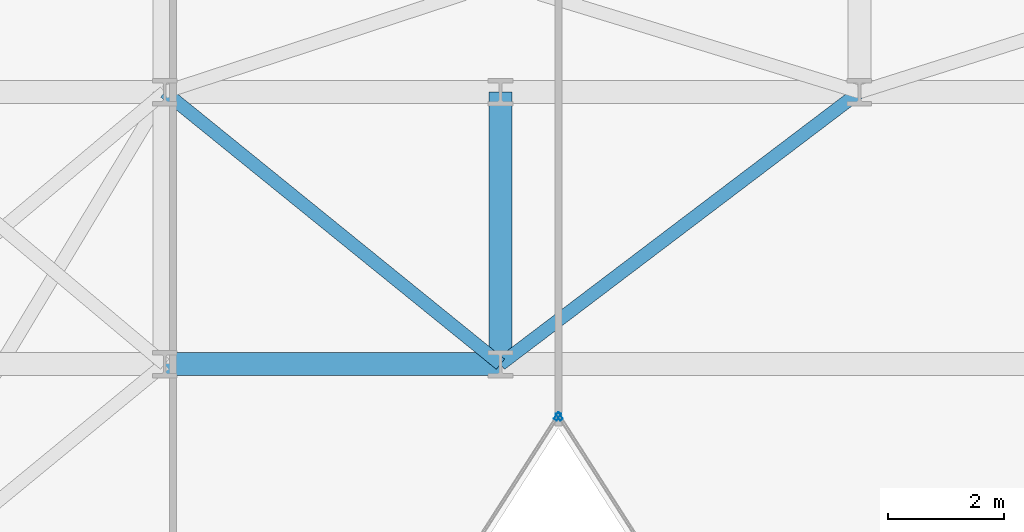
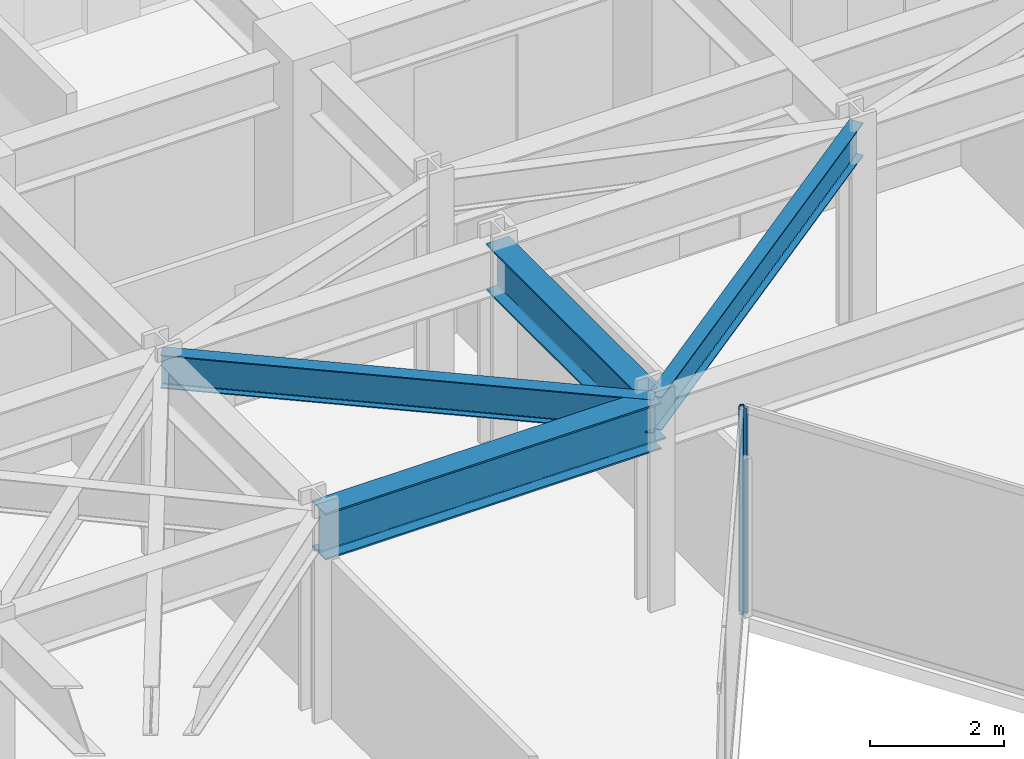
# One storey, part 13 of 26: 4 beams, 2 members, 2 elements without a shape of their own.
"""IFC4 building model written with IfcOpenShell, lengths in metres."""

from ifc_helpers import new_model, si_unit, direction, frame, origin, origin_2d, place, context, subcontext, project, spatial, hollow_rectangle, i_section, extrude, material, layer, layer_set, material_profile, profile_set, type_object, element, aggregate, save


model = new_model("IFC4")

# Units and contexts
model_context = context("Model", 3, precision=1e-05, world=origin(), true_north=direction((0.0, 1.0)))
body_context = subcontext(model_context, "Body", "Model", "MODEL_VIEW")
ifc_project = project(units=[si_unit("LENGTHUNIT", "METRE"), si_unit("AREAUNIT", "SQUARE_METRE"), si_unit("VOLUMEUNIT", "CUBIC_METRE"), si_unit("PLANEANGLEUNIT", "RADIAN"), si_unit("MASSUNIT", "GRAM", prefix="KILO")], contexts=[model_context])

# Site, building, storey
site_placement = place(None, origin())
site = spatial("IfcSite", under=ifc_project, at=site_placement, CompositionType="ELEMENT")
building_placement = place(site_placement, origin())
building = spatial("IfcBuilding", under=site, at=building_placement, Name="Kravanh Interchange Tower", CompositionType="ELEMENT")
storey_placement = place(building_placement, frame((0.0, 0.0, 112.0)))
storey = spatial("IfcBuildingStorey", under=building, at=storey_placement, Name="L26", CompositionType="ELEMENT", Elevation=112.0)

# Curtain wall, member
ifc_material_1 = material(Name="Anodised Bronze Aluminium", Category="aluminium")
ifc_layer = layer(ifc_material_1, 0.179931640625)
ifc_layer_set = layer_set([ifc_layer], Name="Unitised Curtain Wall System CW-Z2 Mid Office")
curtain_wall_type = type_object("IfcCurtainWallType", Name="Unitised Curtain Wall System CW-Z2 Mid Office", PredefinedType="NOTDEFINED", material=ifc_layer_set)
curtain_wall_1_placement = place(storey_placement, origin())
curtain_wall_1 = element("IfcCurtainWall", 1, at=curtain_wall_1_placement, inside=storey, type_object=curtain_wall_type, Name="L26 Unitised Curtain Wall CW-L26-04", PredefinedType="NOTDEFINED")
ifc_material_2 = material(Name="Anodised Bronze Aluminium", Category="aluminium")
ifc_material_profile_1 = material_profile(ifc_material_2, hollow_rectangle(XDim=0.06005859375, YDim=0.139892578125, WallThickness=0.00390625, at=origin_2d()), Name="ALU60X140X4")
ifc_profile_set_1 = profile_set([ifc_material_profile_1], Name="Anodised Bronze Aluminium")
member_type = type_object("IfcMemberType", Name="Curtain Wall Mullion ALU60X140X4 Bronze", PredefinedType="MULLION", material=ifc_profile_set_1)
member_1_placement = place(storey_placement, frame((39.6162109375, 25.897216796875, 0.0), z_axis=(0.0, 0.0, 1.0), x_axis=(-0.841879939476, -0.539664865919, 0.0)))
member_1 = element("IfcMember", 2, at=member_1_placement, type_object=member_type, Name="CW-Z2 mullion 5", PredefinedType="MULLION", context=body_context, shape_type="SweptSolid", body=[
    extrude(hollow_rectangle(XDim=0.06005859375, YDim=0.139892578125, WallThickness=0.00390625, at=origin_2d()), origin(), (0.0, 0.0, 1.0), 3.75),
])
aggregate(curtain_wall_1, [member_1])

curtain_wall_2_placement = place(storey_placement, origin())
curtain_wall_2 = element("IfcCurtainWall", 3, at=curtain_wall_2_placement, inside=storey, type_object=curtain_wall_type, Name="L26 Unitised Curtain Wall CW-L26-05", PredefinedType="NOTDEFINED")
member_2_placement = place(storey_placement, frame((39.583740234375, 25.897216796875, 0.0), z_axis=(0.0, 0.0, 1.0), x_axis=(0.841879939476, -0.539664865919, 0.0)))
member_2 = element("IfcMember", 4, at=member_2_placement, type_object=member_type, Name="CW-Z2 mullion 1", PredefinedType="MULLION", context=body_context, shape_type="SweptSolid", body=[
    extrude(hollow_rectangle(XDim=0.06005859375, YDim=0.139892578125, WallThickness=0.00390625, at=origin_2d()), origin(), (0.0, 0.0, 1.0), 3.75),
])
aggregate(curtain_wall_2, [member_2])

# Beams
ifc_material_3 = material(Name="Structural Steel S355", Category="steel")
ifc_material_profile_2 = material_profile(ifc_material_3, i_section(OverallWidth=0.39990234375, OverallDepth=0.85595703125, WebThickness=0.018310546875, FlangeThickness=0.029296875, FilletRadius=0.02490234375, at=origin_2d()), Name="W33X201")
ifc_profile_set_2 = profile_set([ifc_material_profile_2], Name="Structural Steel S355")
beam_type_1 = type_object("IfcBeamType", Name="Floor Beam W33X201 Structural Steel S355", PredefinedType="BEAM", material=ifc_profile_set_2)
beam_1_placement = place(storey_placement, frame((32.800048828125, 26.800048828125, 3.322021484375), z_axis=(1.0, 0.0, 0.0), x_axis=(0.0, 1.0, 0.0)))
element("IfcBeam", 5, at=beam_1_placement, inside=storey, type_object=beam_type_1, Name="L26 Primary Floor Girder 50", PredefinedType="BEAM", context=body_context, shape_type="SweptSolid", body=[
    extrude(i_section(OverallWidth=0.39990234375, OverallDepth=0.85595703125, WebThickness=0.018310546875, FlangeThickness=0.029296875, FilletRadius=0.02490234375, at=origin_2d()), origin(), (0.0, 0.0, 1.0), 5.800048828125),
])
beam_2_placement = place(storey_placement, frame((38.60009765625, 26.800048828125, 3.322021484375), z_axis=(0.0, 1.0, 0.0), x_axis=(-1.0, 0.0, 0.0)))
element("IfcBeam", 6, at=beam_2_placement, inside=storey, type_object=beam_type_1, Name="L26 Primary Floor Girder 53", PredefinedType="BEAM", context=body_context, shape_type="SweptSolid", body=[
    extrude(i_section(OverallWidth=0.39990234375, OverallDepth=0.85595703125, WebThickness=0.018310546875, FlangeThickness=0.029296875, FilletRadius=0.02490234375, at=origin_2d()), origin(), (0.0, 0.0, 1.0), 4.699951171875),
])
ifc_material_4 = material(Name="Structural Steel S355", Category="steel")
ifc_material_profile_3 = material_profile(ifc_material_4, i_section(OverallWidth=0.22802734375, OverallDepth=0.60791015625, WebThickness=0.01123046875, FlangeThickness=0.017333984375, FilletRadius=0.02197265625, at=origin_2d()), Name="W24X76")
ifc_profile_set_3 = profile_set([ifc_material_profile_3], Name="Structural Steel S355")
beam_type_2 = type_object("IfcBeamType", Name="Floor Spandrel W24X76 Structural Steel S355", PredefinedType="SPANDREL", material=ifc_profile_set_3)
beam_3_placement = place(storey_placement, frame((38.60009765625, 26.800048828125, 3.446044921875), z_axis=(-0.776938619557, 0.629576350764, 0.0), x_axis=(-0.629576350764, -0.776938619557, 0.0)))
element("IfcBeam", 7, at=beam_3_placement, inside=storey, type_object=beam_type_2, Name="L26 Perimeter Spandrel 54", PredefinedType="SPANDREL", context=body_context, shape_type="SweptSolid", body=[
    extrude(i_section(OverallWidth=0.22802734375, OverallDepth=0.60791015625, WebThickness=0.01123046875, FlangeThickness=0.017333984375, FilletRadius=0.02197265625, at=origin_2d()), origin(), (0.0, 0.0, 1.0), 7.46533203125),
])
beam_4_placement = place(storey_placement, frame((38.60009765625, 26.800048828125, 3.446044921875), z_axis=(0.796905365509, 0.604104161898, 0.0), x_axis=(-0.604104161898, 0.796905365509, 0.0)))
element("IfcBeam", 8, at=beam_4_placement, inside=storey, type_object=beam_type_2, Name="L26 Perimeter Spandrel 55", PredefinedType="SPANDREL", context=body_context, shape_type="SweptSolid", body=[
    extrude(i_section(OverallWidth=0.22802734375, OverallDepth=0.60791015625, WebThickness=0.01123046875, FlangeThickness=0.017333984375, FilletRadius=0.02197265625, at=origin_2d()), origin(), (0.0, 0.0, 1.0), 7.780029296875),
])

save(model, "model.ifc")
